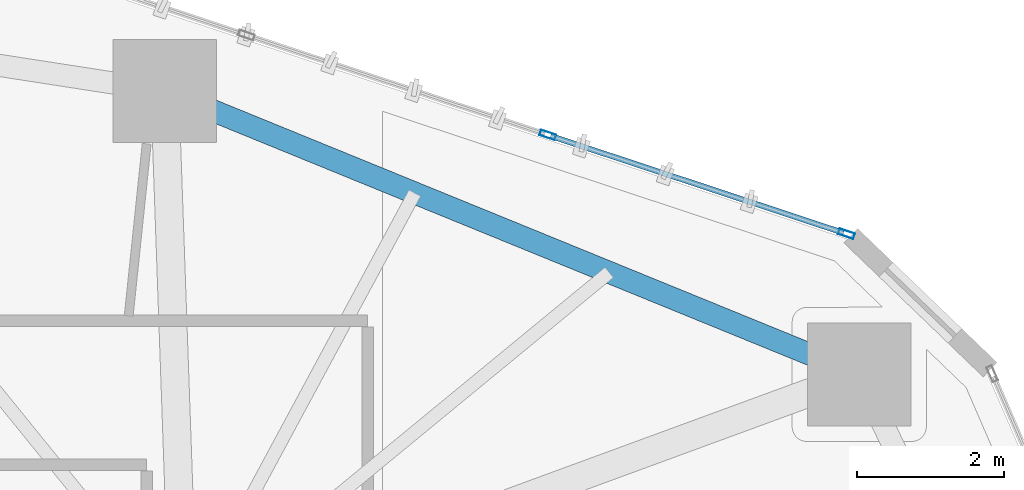
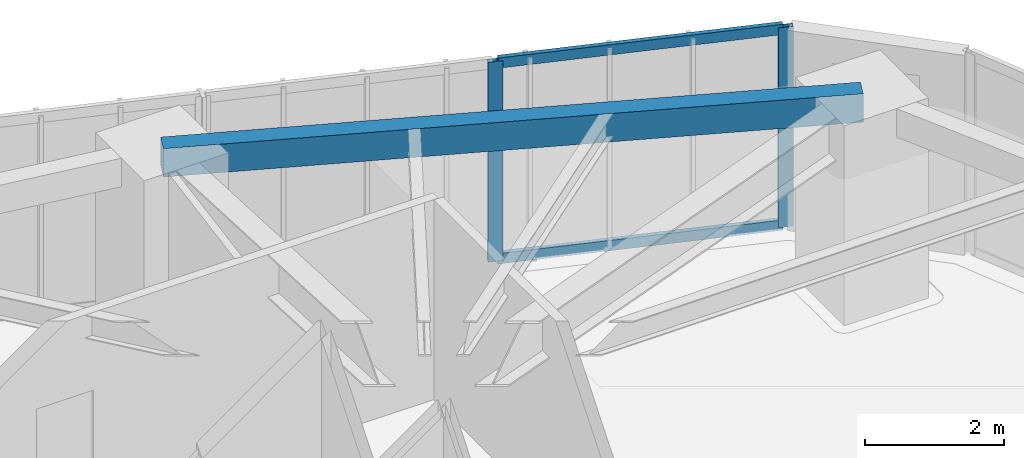
# One storey, part 16 of 23: 4 members, 1 beam, 1 element without a shape of its own.
"""IFC4 building model written with IfcOpenShell, lengths in metres."""

from ifc_helpers import new_model, si_unit, direction, frame, origin, origin_2d, place, context, subcontext, project, spatial, hollow_rectangle, extrude, source, transform, mapped, material, layer, layer_set, material_profile, profile_set, type_object, type_shapes, element, aggregate, save


model = new_model("IFC4")

# Units and contexts
model_context = context("Model", 3, precision=1e-05, world=origin(), true_north=direction((0.0, 1.0)))
body_context = subcontext(model_context, "Body", "Model", "MODEL_VIEW")
ifc_project = project(units=[si_unit("LENGTHUNIT", "METRE"), si_unit("AREAUNIT", "SQUARE_METRE"), si_unit("VOLUMEUNIT", "CUBIC_METRE"), si_unit("PLANEANGLEUNIT", "RADIAN"), si_unit("MASSUNIT", "GRAM", prefix="KILO")], contexts=[model_context])

# Site, building, storey
site_placement = place(None, origin())
site = spatial("IfcSite", under=ifc_project, at=site_placement, CompositionType="ELEMENT")
building_placement = place(site_placement, origin())
building = spatial("IfcBuilding", under=site, at=building_placement, Name="Talar Marvaseh", CompositionType="ELEMENT")
storey_placement = place(building_placement, frame((0.0, 0.0, 35.39990234375)))
storey = spatial("IfcBuildingStorey", under=building, at=storey_placement, Name="L08", CompositionType="ELEMENT", Elevation=35.39990234375)

# Beam
ifc_material_1 = material(Name="Steel S355", Category="steel")
ifc_material_profile_1 = material_profile(ifc_material_1, hollow_rectangle(XDim=0.300048828125, YDim=0.5, WallThickness=0.02001953125, at=origin_2d()), Name="RHS500x300x20")
ifc_profile_set_1 = profile_set([ifc_material_profile_1], Name="Steel S355")
beam_type = type_object("IfcBeamType", Name="Zone 1 Perimeter Spandrel Beam RHS500x300x20", PredefinedType="SPANDREL", material=ifc_profile_set_1)
beam_placement = place(storey_placement, frame((33.0458984375, 44.117919921875, 3.27001953125), z_axis=(0.92586732306, -0.377848779395, 0.0), x_axis=(0.377848779395, 0.92586732306, 0.0)))
element("IfcBeam", 1, at=beam_placement, inside=storey, type_object=beam_type, Name="L08 Zone 1 Perimeter Spandrel Beam RHS500x300x20", PredefinedType="SPANDREL", context=body_context, shape_type="SweptSolid", body=[
    extrude(hollow_rectangle(XDim=0.300048828125, YDim=0.5, WallThickness=0.02001953125, at=origin_2d()), origin(), (0.0, 0.0, 1.0), 10.186279296875),
])

# Curtain wall, members
ifc_material_2 = material(Name="Architectural Aluminium", Category="aluminium")
ifc_layer = layer(ifc_material_2, 0.219970703125)
ifc_layer_set = layer_set([ifc_layer], Name="Architectural Aluminium")
curtain_wall_type = type_object("IfcCurtainWallType", Name="Unitised Low-E Museum Curtain Wall Z1", PredefinedType="NOTDEFINED", material=ifc_layer_set)
curtain_wall_placement = place(storey_placement, origin())
curtain_wall = element("IfcCurtainWall", 2, at=curtain_wall_placement, inside=storey, type_object=curtain_wall_type, Name="L08 Unitised Low-E Museum Curtain Wall Z1", PredefinedType="NOTDEFINED")
ifc_material_profile_2 = material_profile(ifc_material_2, hollow_rectangle(XDim=0.080078125, YDim=0.219970703125, WallThickness=0.0048828125, at=origin_2d()), Name="RHS220x80x5")
ifc_profile_set_2 = profile_set([ifc_material_profile_2], Name="Architectural Aluminium")
member_type_1 = type_object("IfcMemberType", Name="Unitised Curtain Wall Heavy Mullion RHS220x80x5", PredefinedType="MULLION", material=ifc_profile_set_2)
shared_shape_1 = source(origin(), body_context, "Body", "SweptSolid", [
    extrude(hollow_rectangle(XDim=0.080078125, YDim=0.219970703125, WallThickness=0.0048828125, at=origin_2d()), origin(), (0.0, 0.0, 1.0), 3.52001953125),
])
type_shapes(member_type_1, [shared_shape_1])
member_1_placement = place(storey_placement, frame((38.2470703125, 43.52099609375, 0.0), z_axis=(0.0, 0.0, 1.0), x_axis=(0.314287701904, 0.949327783451, 0.0)))
member_1 = element("IfcMember", 3, at=member_1_placement, type_object=member_type_1, Name="CW-Z1 mullion 4", PredefinedType="MULLION", context=body_context, shape_type="MappedRepresentation", body=[
    mapped(shared_shape_1, transform((0.0, 0.0, 0.0), x_axis=(1.0, 0.0, 0.0), y_axis=(0.0, 1.0, 0.0), z_axis=(0.0, 0.0, 1.0), scale=1.0)),
])
member_2_placement = place(storey_placement, frame((42.302490234375, 42.178466796875, 0.0), z_axis=(0.0, 0.0, 1.0), x_axis=(0.314287701904, 0.949327783451, 0.0)))
member_2 = element("IfcMember", 4, at=member_2_placement, type_object=member_type_1, Name="CW-Z1 mullion 5", PredefinedType="MULLION", context=body_context, shape_type="MappedRepresentation", body=[
    mapped(shared_shape_1, transform((0.0, 0.0, 0.0), x_axis=(1.0, 0.0, 0.0), y_axis=(0.0, 1.0, 0.0), z_axis=(0.0, 0.0, 1.0), scale=1.0)),
])
ifc_material_profile_3 = material_profile(ifc_material_2, hollow_rectangle(XDim=0.074951171875, YDim=0.179931640625, WallThickness=0.0048828125, at=origin_2d()), Name="RHS180x75x5")
ifc_profile_set_3 = profile_set([ifc_material_profile_3], Name="Architectural Aluminium")
member_type_2 = type_object("IfcMemberType", Name="Unitised Curtain Wall Transom RHS180x75x5", PredefinedType="USERDEFINED", material=ifc_profile_set_3)
shared_shape_2 = source(origin(), body_context, "Body", "SweptSolid", [
    extrude(hollow_rectangle(XDim=0.074951171875, YDim=0.179931640625, WallThickness=0.0048828125, at=origin_2d()), origin(), (0.0, 0.0, 1.0), 4.19189453125),
])
type_shapes(member_type_2, [shared_shape_2])
member_3_placement = place(storey_placement, frame((38.284912109375, 43.50830078125, 0.03759765625), z_axis=(0.949333582559, -0.314270184754, 0.0), x_axis=(0.314270184754, 0.949333582559, 0.0)))
member_3 = element("IfcMember", 5, at=member_3_placement, type_object=member_type_2, Name="CW-Z1 transom 4.1", ObjectType="TRANSOM", PredefinedType="USERDEFINED", context=body_context, shape_type="MappedRepresentation", body=[
    mapped(shared_shape_2, transform((0.0, 0.0, 0.0), x_axis=(1.0, 0.0, 0.0), y_axis=(0.0, 1.0, 0.0), z_axis=(0.0, 0.0, 1.0), scale=1.0)),
])
member_4_placement = place(storey_placement, frame((38.284912109375, 43.50830078125, 3.482666015625), z_axis=(0.949333582559, -0.314270184754, 0.0), x_axis=(0.314270184754, 0.949333582559, 0.0)))
member_4 = element("IfcMember", 6, at=member_4_placement, type_object=member_type_2, Name="CW-Z1 transom 4.2", ObjectType="TRANSOM", PredefinedType="USERDEFINED", context=body_context, shape_type="MappedRepresentation", body=[
    mapped(shared_shape_2, transform((0.0, 0.0, 0.0), x_axis=(1.0, 0.0, 0.0), y_axis=(0.0, 1.0, 0.0), z_axis=(0.0, 0.0, 1.0), scale=1.0)),
])
aggregate(curtain_wall, [member_1, member_2, member_3, member_4])

save(model, "model.ifc")
